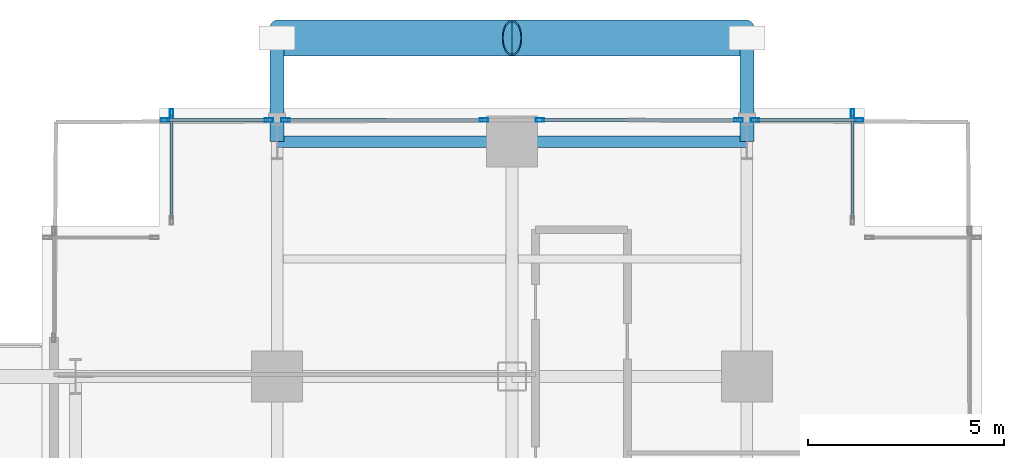
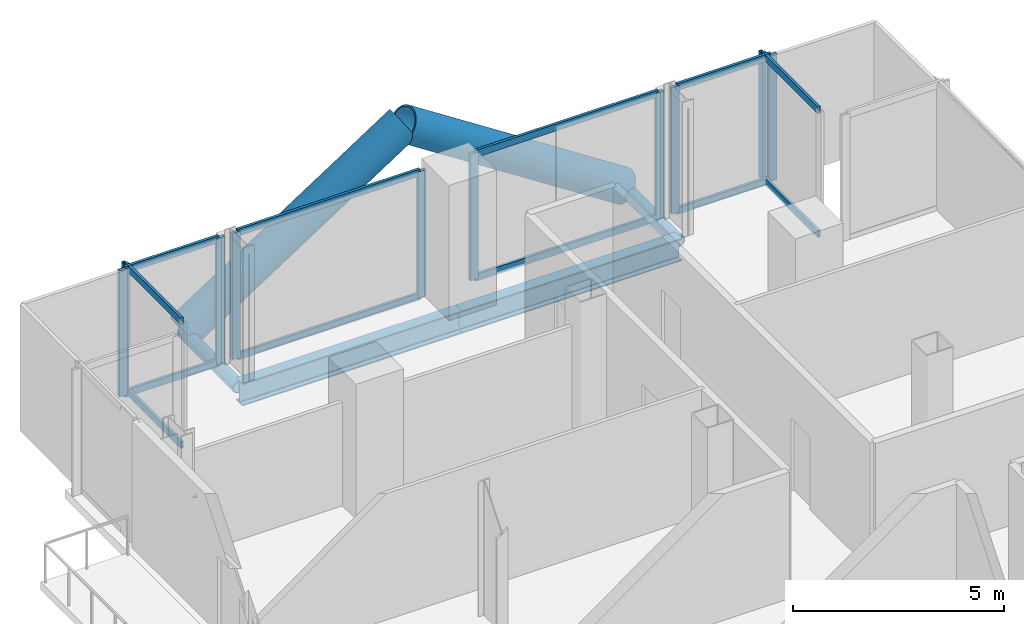
# One storey, part 16 of 27: 26 members, 2 beams, 6 elements without a shape of their own.
"""IFC4 building model written with IfcOpenShell, lengths in metres."""

from ifc_helpers import new_model, si_unit, direction, frame, origin, origin_2d, place, context, subcontext, project, spatial, hollow_rectangle, hollow_circle, i_section, extrude, material, layer, layer_set, material_profile, profile_set, type_object, element, aggregate, save


model = new_model("IFC4")

# Units and contexts
model_context = context("Model", 3, precision=1e-05, world=origin(), true_north=direction((0.0, 1.0)))
body_context = subcontext(model_context, "Body", "Model", "MODEL_VIEW")
ifc_project = project(units=[si_unit("LENGTHUNIT", "METRE"), si_unit("AREAUNIT", "SQUARE_METRE"), si_unit("VOLUMEUNIT", "CUBIC_METRE"), si_unit("PLANEANGLEUNIT", "RADIAN"), si_unit("MASSUNIT", "GRAM", prefix="KILO"), si_unit("THERMODYNAMICTEMPERATUREUNIT", "KELVIN"), si_unit("POWERUNIT", "WATT")], contexts=[model_context])

# Site, building, storey
site_placement = place(None, origin())
site = spatial("IfcSite", under=ifc_project, at=site_placement, CompositionType="ELEMENT")
building_placement = place(site_placement, origin())
building = spatial("IfcBuilding", under=site, at=building_placement, Name="Svarakhadi Broadcast Tower", CompositionType="ELEMENT")
storey_placement = place(building_placement, frame((0.0, 0.0, 87.0)))
storey = spatial("IfcBuildingStorey", under=building, at=storey_placement, Name="L20", CompositionType="ELEMENT", Elevation=87.0)

# Curtain wall, member
ifc_material_1 = material(Name="Anodised Bronze Aluminium AA 6063-T6", Category="aluminium")
ifc_layer = layer(ifc_material_1, 0.219970703125)
ifc_layer_set = layer_set([ifc_layer], Name="Anodised Bronze Aluminium AA 6063-T6")
curtain_wall_type = type_object("IfcCurtainWallType", Name="CW_Sys_02", PredefinedType="NOTDEFINED", material=ifc_layer_set)
curtain_wall_1_placement = place(storey_placement, origin())
curtain_wall_1 = element("IfcCurtainWall", 1, at=curtain_wall_1_placement, inside=storey, type_object=curtain_wall_type, Name="L20 Unitised Facade Curtain Wall 05", PredefinedType="NOTDEFINED")
ifc_material_profile_1 = material_profile(ifc_material_1, hollow_rectangle(XDim=0.0849609375, YDim=0.219970703125, WallThickness=0.006103515625, at=origin_2d()), Name="ALU MULLION 220x85x6")
ifc_profile_set_1 = profile_set([ifc_material_profile_1], Name="Anodised Bronze Aluminium AA 6063-T6")
member_type_1 = type_object("IfcMemberType", Name="CW_Sys_02_Mul", PredefinedType="MULLION", material=ifc_profile_set_1)
member_1_placement = place(storey_placement, frame((3.300048828125, 47.867431640625, 0.0), z_axis=(0.0, 0.0, 1.0), x_axis=(-1.0, 0.0, 0.0)))
member_1 = element("IfcMember", 2, at=member_1_placement, type_object=member_type_1, Name="CW-02 mullion 2", PredefinedType="MULLION", context=body_context, shape_type="SweptSolid", body=[
    extrude(hollow_rectangle(XDim=0.0849609375, YDim=0.219970703125, WallThickness=0.006103515625, at=origin_2d()), origin(), (0.0, 0.0, 1.0), 3.64990234375),
])

# Curtain wall, members
curtain_wall_2_placement = place(storey_placement, origin())
curtain_wall_2 = element("IfcCurtainWall", 3, at=curtain_wall_2_placement, inside=storey, type_object=curtain_wall_type, Name="L20 Unitised Facade Curtain Wall 06 Bay 1", PredefinedType="NOTDEFINED")
member_2_placement = place(storey_placement, frame((3.132568359375, 47.699951171875, 0.0), z_axis=(0.0, 0.0, 1.0), x_axis=(0.0, 1.0, 0.0)))
member_2 = element("IfcMember", 4, at=member_2_placement, type_object=member_type_1, Name="CW-02 mullion 1", PredefinedType="MULLION", context=body_context, shape_type="SweptSolid", body=[
    extrude(hollow_rectangle(XDim=0.0849609375, YDim=0.219970703125, WallThickness=0.006103515625, at=origin_2d()), origin(), (0.0, 0.0, 1.0), 3.64990234375),
])
member_3_placement = place(storey_placement, frame((5.78759765625, 47.699951171875, 0.0), z_axis=(0.0, 0.0, 1.0), x_axis=(0.0, 1.0, 0.0)))
member_3 = element("IfcMember", 5, at=member_3_placement, type_object=member_type_1, Name="CW-02 mullion 2", PredefinedType="MULLION", context=body_context, shape_type="SweptSolid", body=[
    extrude(hollow_rectangle(XDim=0.0849609375, YDim=0.219970703125, WallThickness=0.006103515625, at=origin_2d()), origin(), (0.0, 0.0, 1.0), 3.64990234375),
])

curtain_wall_3_placement = place(storey_placement, origin())
curtain_wall_3 = element("IfcCurtainWall", 6, at=curtain_wall_3_placement, inside=storey, type_object=curtain_wall_type, Name="L20 Unitised Facade Curtain Wall 06 Bay 2", PredefinedType="NOTDEFINED")
member_4_placement = place(storey_placement, frame((6.21240234375, 47.699951171875, 0.0), z_axis=(0.0, 0.0, 1.0), x_axis=(0.0, 1.0, 0.0)))
member_4 = element("IfcMember", 7, at=member_4_placement, type_object=member_type_1, Name="CW-02 mullion 1", PredefinedType="MULLION", context=body_context, shape_type="SweptSolid", body=[
    extrude(hollow_rectangle(XDim=0.0849609375, YDim=0.219970703125, WallThickness=0.006103515625, at=origin_2d()), origin(), (0.0, 0.0, 1.0), 3.64990234375),
])
member_5_placement = place(storey_placement, frame((11.28759765625, 47.699951171875, 0.0), z_axis=(0.0, 0.0, 1.0), x_axis=(0.0, 1.0, 0.0)))
member_5 = element("IfcMember", 8, at=member_5_placement, type_object=member_type_1, Name="CW-02 mullion 2", PredefinedType="MULLION", context=body_context, shape_type="SweptSolid", body=[
    extrude(hollow_rectangle(XDim=0.0849609375, YDim=0.219970703125, WallThickness=0.006103515625, at=origin_2d()), origin(), (0.0, 0.0, 1.0), 3.64990234375),
])

curtain_wall_4_placement = place(storey_placement, origin())
curtain_wall_4 = element("IfcCurtainWall", 9, at=curtain_wall_4_placement, inside=storey, type_object=curtain_wall_type, Name="L20 Unitised Facade Curtain Wall 06 Bay 3", PredefinedType="NOTDEFINED")
member_6_placement = place(storey_placement, frame((12.71240234375, 47.699951171875, 0.0), z_axis=(0.0, 0.0, 1.0), x_axis=(0.0, 1.0, 0.0)))
member_6 = element("IfcMember", 10, at=member_6_placement, type_object=member_type_1, Name="CW-02 mullion 1", PredefinedType="MULLION", context=body_context, shape_type="SweptSolid", body=[
    extrude(hollow_rectangle(XDim=0.0849609375, YDim=0.219970703125, WallThickness=0.006103515625, at=origin_2d()), origin(), (0.0, 0.0, 1.0), 3.64990234375),
])
member_7_placement = place(storey_placement, frame((17.78759765625, 47.699951171875, 0.0), z_axis=(0.0, 0.0, 1.0), x_axis=(0.0, 1.0, 0.0)))
member_7 = element("IfcMember", 11, at=member_7_placement, type_object=member_type_1, Name="CW-02 mullion 2", PredefinedType="MULLION", context=body_context, shape_type="SweptSolid", body=[
    extrude(hollow_rectangle(XDim=0.0849609375, YDim=0.219970703125, WallThickness=0.006103515625, at=origin_2d()), origin(), (0.0, 0.0, 1.0), 3.64990234375),
])

curtain_wall_5_placement = place(storey_placement, origin())
curtain_wall_5 = element("IfcCurtainWall", 12, at=curtain_wall_5_placement, inside=storey, type_object=curtain_wall_type, Name="L20 Unitised Facade Curtain Wall 06 Bay 4", PredefinedType="NOTDEFINED")
member_8_placement = place(storey_placement, frame((18.21240234375, 47.699951171875, 0.0), z_axis=(0.0, 0.0, 1.0), x_axis=(0.0, 1.0, 0.0)))
member_8 = element("IfcMember", 13, at=member_8_placement, type_object=member_type_1, Name="CW-02 mullion 1", PredefinedType="MULLION", context=body_context, shape_type="SweptSolid", body=[
    extrude(hollow_rectangle(XDim=0.0849609375, YDim=0.219970703125, WallThickness=0.006103515625, at=origin_2d()), origin(), (0.0, 0.0, 1.0), 3.64990234375),
])
member_9_placement = place(storey_placement, frame((20.867431640625, 47.699951171875, 0.0), z_axis=(0.0, 0.0, 1.0), x_axis=(0.0, 1.0, 0.0)))
member_9 = element("IfcMember", 14, at=member_9_placement, type_object=member_type_1, Name="CW-02 mullion 2", PredefinedType="MULLION", context=body_context, shape_type="SweptSolid", body=[
    extrude(hollow_rectangle(XDim=0.0849609375, YDim=0.219970703125, WallThickness=0.006103515625, at=origin_2d()), origin(), (0.0, 0.0, 1.0), 3.64990234375),
])

# Curtain wall, member
curtain_wall_6_placement = place(storey_placement, origin())
curtain_wall_6 = element("IfcCurtainWall", 15, at=curtain_wall_6_placement, inside=storey, type_object=curtain_wall_type, Name="L20 Unitised Facade Curtain Wall 07", PredefinedType="NOTDEFINED")
member_10_placement = place(storey_placement, frame((20.699951171875, 47.867431640625, 0.0), z_axis=(0.0, 0.0, 1.0), x_axis=(1.0, 0.0, 0.0)))
member_10 = element("IfcMember", 16, at=member_10_placement, type_object=member_type_1, Name="CW-02 mullion 1", PredefinedType="MULLION", context=body_context, shape_type="SweptSolid", body=[
    extrude(hollow_rectangle(XDim=0.0849609375, YDim=0.219970703125, WallThickness=0.006103515625, at=origin_2d()), origin(), (0.0, 0.0, 1.0), 3.64990234375),
])

# Member
ifc_material_profile_2 = material_profile(ifc_material_1, hollow_rectangle(XDim=0.074951171875, YDim=0.199951171875, WallThickness=0.0048828125, at=origin_2d()), Name="ALU TRANSOM 200x75x5")
ifc_profile_set_2 = profile_set([ifc_material_profile_2], Name="Anodised Bronze Aluminium AA 6063-T6")
member_type_2 = type_object("IfcMemberType", Name="CW_Sys_02_Trn", PredefinedType="USERDEFINED", material=ifc_profile_set_2)
member_11_placement = place(storey_placement, frame((3.300048828125, 45.175048828125, 0.03759765625), z_axis=(0.0, 1.0, 0.0), x_axis=(-1.0, 0.0, 0.0)))
member_11 = element("IfcMember", 17, at=member_11_placement, type_object=member_type_2, Name="CW-02 transom 1.1", ObjectType="TRANSOM", PredefinedType="USERDEFINED", context=body_context, shape_type="SweptSolid", body=[
    extrude(hollow_rectangle(XDim=0.074951171875, YDim=0.199951171875, WallThickness=0.0048828125, at=origin_2d()), origin(), (0.0, 0.0, 1.0), 2.64990234375),
])

member_12_placement = place(storey_placement, frame((3.300048828125, 45.175048828125, 3.612548828125), z_axis=(0.0, 1.0, 0.0), x_axis=(-1.0, 0.0, 0.0)))
member_12 = element("IfcMember", 18, at=member_12_placement, type_object=member_type_2, Name="CW-02 transom 1.2", ObjectType="TRANSOM", PredefinedType="USERDEFINED", context=body_context, shape_type="SweptSolid", body=[
    extrude(hollow_rectangle(XDim=0.074951171875, YDim=0.199951171875, WallThickness=0.0048828125, at=origin_2d()), origin(), (0.0, 0.0, 1.0), 2.64990234375),
])

aggregate(curtain_wall_1, [member_1, member_11, member_12])

member_13_placement = place(storey_placement, frame((3.175048828125, 47.699951171875, 0.03759765625), z_axis=(1.0, 0.0, 0.0), x_axis=(0.0, 1.0, 0.0)))
member_13 = element("IfcMember", 19, at=member_13_placement, type_object=member_type_2, Name="CW-02 transom 1.1", ObjectType="TRANSOM", PredefinedType="USERDEFINED", context=body_context, shape_type="SweptSolid", body=[
    extrude(hollow_rectangle(XDim=0.074951171875, YDim=0.199951171875, WallThickness=0.0048828125, at=origin_2d()), origin(), (0.0, 0.0, 1.0), 2.570068359375),
])

member_14_placement = place(storey_placement, frame((3.175048828125, 47.699951171875, 3.612548828125), z_axis=(1.0, 0.0, 0.0), x_axis=(0.0, 1.0, 0.0)))
member_14 = element("IfcMember", 20, at=member_14_placement, type_object=member_type_2, Name="CW-02 transom 1.2", ObjectType="TRANSOM", PredefinedType="USERDEFINED", context=body_context, shape_type="SweptSolid", body=[
    extrude(hollow_rectangle(XDim=0.074951171875, YDim=0.199951171875, WallThickness=0.0048828125, at=origin_2d()), origin(), (0.0, 0.0, 1.0), 2.570068359375),
])

aggregate(curtain_wall_2, [member_2, member_3, member_13, member_14])

member_15_placement = place(storey_placement, frame((6.2548828125, 47.699951171875, 0.03759765625), z_axis=(1.0, 0.0, 0.0), x_axis=(0.0, 1.0, 0.0)))
member_15 = element("IfcMember", 21, at=member_15_placement, type_object=member_type_2, Name="CW-02 transom 1.1", ObjectType="TRANSOM", PredefinedType="USERDEFINED", context=body_context, shape_type="SweptSolid", body=[
    extrude(hollow_rectangle(XDim=0.074951171875, YDim=0.199951171875, WallThickness=0.0048828125, at=origin_2d()), origin(), (0.0, 0.0, 1.0), 4.990234375),
])

member_16_placement = place(storey_placement, frame((6.2548828125, 47.699951171875, 3.612548828125), z_axis=(1.0, 0.0, 0.0), x_axis=(0.0, 1.0, 0.0)))
member_16 = element("IfcMember", 22, at=member_16_placement, type_object=member_type_2, Name="CW-02 transom 1.2", ObjectType="TRANSOM", PredefinedType="USERDEFINED", context=body_context, shape_type="SweptSolid", body=[
    extrude(hollow_rectangle(XDim=0.074951171875, YDim=0.199951171875, WallThickness=0.0048828125, at=origin_2d()), origin(), (0.0, 0.0, 1.0), 4.990234375),
])

aggregate(curtain_wall_3, [member_4, member_5, member_15, member_16])

member_17_placement = place(storey_placement, frame((12.7548828125, 47.699951171875, 0.03759765625), z_axis=(1.0, 0.0, 0.0), x_axis=(0.0, 1.0, 0.0)))
member_17 = element("IfcMember", 23, at=member_17_placement, type_object=member_type_2, Name="CW-02 transom 1.1", ObjectType="TRANSOM", PredefinedType="USERDEFINED", context=body_context, shape_type="SweptSolid", body=[
    extrude(hollow_rectangle(XDim=0.074951171875, YDim=0.199951171875, WallThickness=0.0048828125, at=origin_2d()), origin(), (0.0, 0.0, 1.0), 4.990234375),
])

member_18_placement = place(storey_placement, frame((12.7548828125, 47.699951171875, 3.612548828125), z_axis=(1.0, 0.0, 0.0), x_axis=(0.0, 1.0, 0.0)))
member_18 = element("IfcMember", 24, at=member_18_placement, type_object=member_type_2, Name="CW-02 transom 1.2", ObjectType="TRANSOM", PredefinedType="USERDEFINED", context=body_context, shape_type="SweptSolid", body=[
    extrude(hollow_rectangle(XDim=0.074951171875, YDim=0.199951171875, WallThickness=0.0048828125, at=origin_2d()), origin(), (0.0, 0.0, 1.0), 4.990234375),
])

aggregate(curtain_wall_4, [member_6, member_7, member_17, member_18])

member_19_placement = place(storey_placement, frame((18.2548828125, 47.699951171875, 0.03759765625), z_axis=(1.0, 0.0, 0.0), x_axis=(0.0, 1.0, 0.0)))
member_19 = element("IfcMember", 25, at=member_19_placement, type_object=member_type_2, Name="CW-02 transom 1.1", ObjectType="TRANSOM", PredefinedType="USERDEFINED", context=body_context, shape_type="SweptSolid", body=[
    extrude(hollow_rectangle(XDim=0.074951171875, YDim=0.199951171875, WallThickness=0.0048828125, at=origin_2d()), origin(), (0.0, 0.0, 1.0), 2.570068359375),
])

member_20_placement = place(storey_placement, frame((18.2548828125, 47.699951171875, 3.612548828125), z_axis=(1.0, 0.0, 0.0), x_axis=(0.0, 1.0, 0.0)))
member_20 = element("IfcMember", 26, at=member_20_placement, type_object=member_type_2, Name="CW-02 transom 1.2", ObjectType="TRANSOM", PredefinedType="USERDEFINED", context=body_context, shape_type="SweptSolid", body=[
    extrude(hollow_rectangle(XDim=0.074951171875, YDim=0.199951171875, WallThickness=0.0048828125, at=origin_2d()), origin(), (0.0, 0.0, 1.0), 2.570068359375),
])

aggregate(curtain_wall_5, [member_8, member_9, member_19, member_20])

member_21_placement = place(storey_placement, frame((20.699951171875, 47.824951171875, 0.03759765625), z_axis=(0.0, -1.0, 0.0), x_axis=(1.0, 0.0, 0.0)))
member_21 = element("IfcMember", 27, at=member_21_placement, type_object=member_type_2, Name="CW-02 transom 1.1", ObjectType="TRANSOM", PredefinedType="USERDEFINED", context=body_context, shape_type="SweptSolid", body=[
    extrude(hollow_rectangle(XDim=0.074951171875, YDim=0.199951171875, WallThickness=0.0048828125, at=origin_2d()), origin(), (0.0, 0.0, 1.0), 2.64990234375),
])

member_22_placement = place(storey_placement, frame((20.699951171875, 47.824951171875, 3.612548828125), z_axis=(0.0, -1.0, 0.0), x_axis=(1.0, 0.0, 0.0)))
member_22 = element("IfcMember", 28, at=member_22_placement, type_object=member_type_2, Name="CW-02 transom 1.2", ObjectType="TRANSOM", PredefinedType="USERDEFINED", context=body_context, shape_type="SweptSolid", body=[
    extrude(hollow_rectangle(XDim=0.074951171875, YDim=0.199951171875, WallThickness=0.0048828125, at=origin_2d()), origin(), (0.0, 0.0, 1.0), 2.64990234375),
])

aggregate(curtain_wall_6, [member_10, member_21, member_22])

# Members
ifc_material_2 = material(Name="Steel S460ML (IS 2062 E450BR)", Category="steel")
ifc_material_profile_3 = material_profile(ifc_material_2, hollow_circle(Radius=0.45703125, WallThickness=0.044921875, at=origin_2d()), Name="CHS 914x45")
ifc_profile_set_3 = profile_set([ifc_material_profile_3], Name="Steel S460ML (IS 2062 E450BR)")
member_type_3 = type_object("IfcMemberType", Name="Exo_Brace_CHS914", PredefinedType="BRACE", material=ifc_profile_set_3)
for number, where, z_axis, x_axis, name in (
    (29, (6.0, 49.800048828125, -0.427734375), (0.838449851971, 0.0, 0.544978757136), (0.0, 1.0, 0.0), "L20 Exposed Bronze Exoskeleton Diagonal N12"),
    (30, (18.0, 49.800048828125, -0.427734375), (-0.838449851971, 0.0, 0.544978757136), (0.0, -1.0, 0.0), "L20 Exposed Bronze Exoskeleton Diagonal N13"),
):
    element("IfcMember", number, at=place(storey_placement, frame(where, z_axis=z_axis, x_axis=x_axis)), inside=storey, type_object=member_type_3, Name=name, PredefinedType="BRACE", context=body_context, shape_type="SweptSolid", body=[
        extrude(hollow_circle(Radius=0.45703125, WallThickness=0.044921875, at=origin_2d()), origin(), (0.0, 0.0, 1.0), 7.156005859375),
    ])
ifc_material_profile_4 = material_profile(ifc_material_2, hollow_circle(Radius=0.177734375, WallThickness=0.02001953125, at=origin_2d()), Name="CHS 355.6x20")
ifc_profile_set_4 = profile_set([ifc_material_profile_4], Name="Steel S460ML (IS 2062 E450BR)")
member_type_4 = type_object("IfcMemberType", Name="Exo_Radial_Strut_Z1", PredefinedType="STRUT", material=ifc_profile_set_4)
for number, where, z_axis, x_axis, name in (
    (31, (6.0, 49.800048828125, -0.427734375), (0.0, -1.0, 0.0), (1.0, 0.0, 0.0), "L20 Exoskeleton Radial Tie Strut N11"),
    (32, (18.0, 49.800048828125, -0.427734375), (0.0, -1.0, 0.0), (1.0, 0.0, 0.0), "L20 Exoskeleton Radial Tie Strut N12"),
):
    element("IfcMember", number, at=place(storey_placement, frame(where, z_axis=z_axis, x_axis=x_axis)), inside=storey, type_object=member_type_4, Name=name, PredefinedType="STRUT", context=body_context, shape_type="SweptSolid", body=[
        extrude(hollow_circle(Radius=0.177734375, WallThickness=0.02001953125, at=origin_2d()), origin(), (0.0, 0.0, 1.0), 2.650146484375),
    ])

# Beams
ifc_material_3 = material(Name="Steel S355J2 (IS 2062 E350C)", Category="steel")
ifc_material_profile_5 = material_profile(ifc_material_3, i_section(OverallWidth=0.300048828125, OverallDepth=0.64990234375, WebThickness=0.01611328125, FlangeThickness=0.031005859375, FilletRadius=0.027099609375, at=origin_2d()), Name="WPB 650x300x225")
ifc_profile_set_5 = profile_set([ifc_material_profile_5], Name="Steel S355J2 (IS 2062 E350C)")
beam_type = type_object("IfcBeamType", Name="Girder_WPB650", PredefinedType="USERDEFINED", material=ifc_profile_set_5)
for number, where, z_axis, x_axis, name in (
    (33, (6.0, 47.14990234375, -0.574951171875), (1.0, 0.0, 0.0), (0.0, 1.0, 0.0), "L20 Primary E-W Girder G043"),
    (34, (12.0, 47.14990234375, -0.574951171875), (1.0, 0.0, 0.0), (0.0, 1.0, 0.0), "L20 Primary E-W Girder G044"),
):
    element("IfcBeam", number, at=place(storey_placement, frame(where, z_axis=z_axis, x_axis=x_axis)), inside=storey, type_object=beam_type, Name=name, ObjectType="GIRDER", PredefinedType="USERDEFINED", context=body_context, shape_type="SweptSolid", body=[
        extrude(i_section(OverallWidth=0.300048828125, OverallDepth=0.64990234375, WebThickness=0.01611328125, FlangeThickness=0.031005859375, FilletRadius=0.027099609375, at=origin_2d()), origin(), (0.0, 0.0, 1.0), 6.0),
    ])

save(model, "model.ifc")
